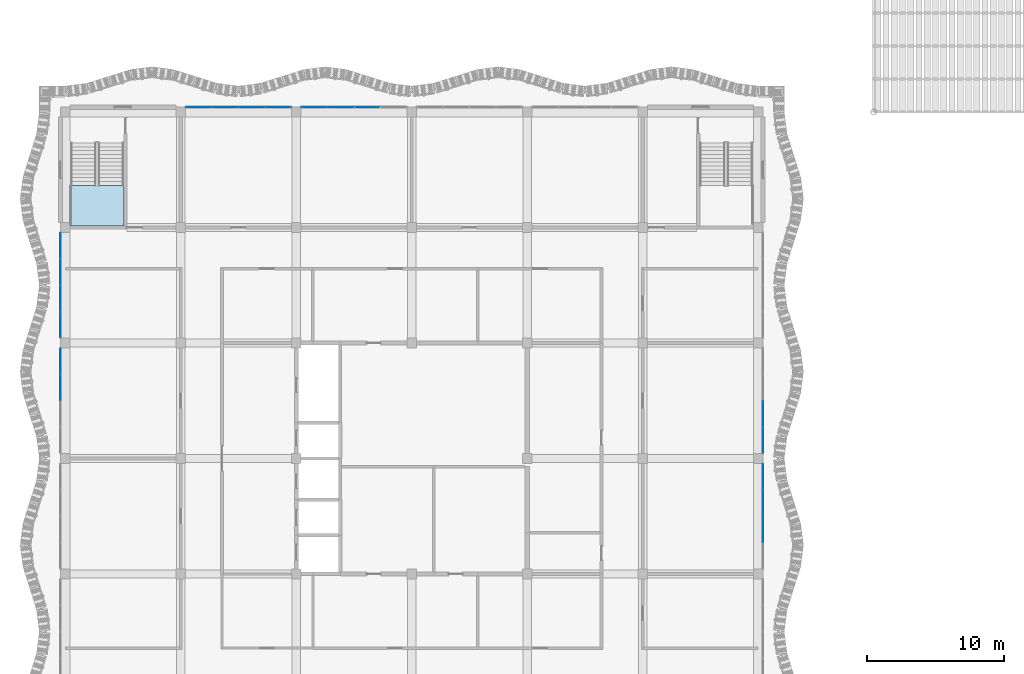
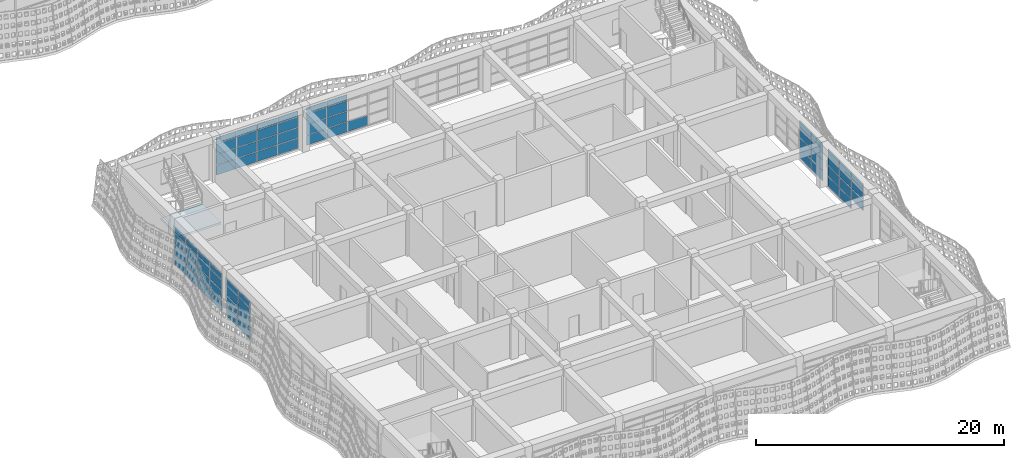
# One storey, part 63 of 162: 68 plates, 1 slab, 7 elements without a shape of their own.
"""IFC4 building model written with IfcOpenShell, lengths in metres."""

from ifc_helpers import new_model, si_unit, direction, frame, origin, origin_2d, place, context, subcontext, project, spatial, polyline, rectangle, outline, extrude, material, layer, layer_set, type_object, element, aggregate, save


model = new_model("IFC4")

# Units and contexts
model_context = context("Model", 3, precision=1e-05, world=origin(), true_north=direction((0.0, 1.0)))
body_context = subcontext(model_context, "Body", "Model", "MODEL_VIEW")
ifc_project = project(units=[si_unit("LENGTHUNIT", "METRE"), si_unit("AREAUNIT", "SQUARE_METRE"), si_unit("VOLUMEUNIT", "CUBIC_METRE"), si_unit("PLANEANGLEUNIT", "RADIAN"), si_unit("MASSUNIT", "GRAM", prefix="KILO")], contexts=[model_context])

# Site, building, storey
site_placement = place(None, origin())
site = spatial("IfcSite", under=ifc_project, at=site_placement, CompositionType="ELEMENT")
building_placement = place(site_placement, origin())
building = spatial("IfcBuilding", under=site, at=building_placement, Name="Rain Tree Exposition and Congress Centre", CompositionType="ELEMENT")
storey_placement = place(building_placement, frame((0.0, 0.0, 6.0)))
storey = spatial("IfcBuildingStorey", under=building, at=storey_placement, Name="L01", CompositionType="ELEMENT", Elevation=6.0)

# Curtain wall, plates
ifc_material_1 = material(Name="Aluminium curtain wall", Category="aluminium")
curtain_wall_type = type_object("IfcCurtainWallType", Name="Wing curtain wall 1925", PredefinedType="NOTDEFINED", material=ifc_material_1)
curtain_wall_1_placement = place(storey_placement, origin())
curtain_wall_1 = element("IfcCurtainWall", 1, at=curtain_wall_1_placement, inside=storey, type_object=curtain_wall_type, Name="Curtain wall CWW204", PredefinedType="NOTDEFINED")
ifc_material_2 = material(Name="Double glazed unit", Category="glass")
ifc_layer_1 = layer(ifc_material_2, 0.028076171875)
ifc_layer_set_1 = layer_set([ifc_layer_1], Name="Double glazed unit")
plate_type = type_object("IfcPlateType", Name="Wing glazing panel 28", PredefinedType="CURTAIN_PANEL", material=ifc_layer_set_1)
plate_1_placement = place(storey_placement, frame((9.7275390625, 50.75, 0.06005859375), z_axis=(0.0, 0.0, 1.0), x_axis=(1.0, 0.0, 0.0)))
plate_1 = element("IfcPlate", 2, at=plate_1_placement, type_object=plate_type, Name="CWW204 panel 1.1", PredefinedType="CURTAIN_PANEL", context=body_context, shape_type="SweptSolid", body=[
    extrude(rectangle(XDim=1.8349609375, YDim=0.028076171875, at=origin_2d()), origin(), (0.0, 0.0, 1.0), 0.9599609375),
])
plate_2_placement = place(storey_placement, frame((9.7275390625, 50.75, 1.080078125), z_axis=(0.0, 0.0, 1.0), x_axis=(1.0, 0.0, 0.0)))
plate_2 = element("IfcPlate", 3, at=plate_2_placement, type_object=plate_type, Name="CWW204 panel 1.2", PredefinedType="CURTAIN_PANEL", context=body_context, shape_type="SweptSolid", body=[
    extrude(rectangle(XDim=1.8349609375, YDim=0.028076171875, at=origin_2d()), origin(), (0.0, 0.0, 1.0), 0.989990234375),
])
plate_3_placement = place(storey_placement, frame((9.7275390625, 50.75, 2.1298828125), z_axis=(0.0, 0.0, 1.0), x_axis=(1.0, 0.0, 0.0)))
plate_3 = element("IfcPlate", 4, at=plate_3_placement, type_object=plate_type, Name="CWW204 panel 1.3", PredefinedType="CURTAIN_PANEL", context=body_context, shape_type="SweptSolid", body=[
    extrude(rectangle(XDim=1.8349609375, YDim=0.028076171875, at=origin_2d()), origin(), (0.0, 0.0, 1.0), 0.989990234375),
])
plate_4_placement = place(storey_placement, frame((9.7275390625, 50.75, 3.179931640625), z_axis=(0.0, 0.0, 1.0), x_axis=(1.0, 0.0, 0.0)))
plate_4 = element("IfcPlate", 5, at=plate_4_placement, type_object=plate_type, Name="CWW204 panel 1.4", PredefinedType="CURTAIN_PANEL", context=body_context, shape_type="SweptSolid", body=[
    extrude(rectangle(XDim=1.8349609375, YDim=0.028076171875, at=origin_2d()), origin(), (0.0, 0.0, 1.0), 0.56005859375),
])
plate_5_placement = place(storey_placement, frame((11.637451171875, 50.75, 0.06005859375), z_axis=(0.0, 0.0, 1.0), x_axis=(1.0, 0.0, 0.0)))
plate_5 = element("IfcPlate", 6, at=plate_5_placement, type_object=plate_type, Name="CWW204 panel 2.1", PredefinedType="CURTAIN_PANEL", context=body_context, shape_type="SweptSolid", body=[
    extrude(rectangle(XDim=1.864990234375, YDim=0.028076171875, at=origin_2d()), origin(), (0.0, 0.0, 1.0), 0.9599609375),
])
plate_6_placement = place(storey_placement, frame((11.637451171875, 50.75, 1.080078125), z_axis=(0.0, 0.0, 1.0), x_axis=(1.0, 0.0, 0.0)))
plate_6 = element("IfcPlate", 7, at=plate_6_placement, type_object=plate_type, Name="CWW204 panel 2.2", PredefinedType="CURTAIN_PANEL", context=body_context, shape_type="SweptSolid", body=[
    extrude(rectangle(XDim=1.864990234375, YDim=0.028076171875, at=origin_2d()), origin(), (0.0, 0.0, 1.0), 0.989990234375),
])
plate_7_placement = place(storey_placement, frame((11.637451171875, 50.75, 2.1298828125), z_axis=(0.0, 0.0, 1.0), x_axis=(1.0, 0.0, 0.0)))
plate_7 = element("IfcPlate", 8, at=plate_7_placement, type_object=plate_type, Name="CWW204 panel 2.3", PredefinedType="CURTAIN_PANEL", context=body_context, shape_type="SweptSolid", body=[
    extrude(rectangle(XDim=1.864990234375, YDim=0.028076171875, at=origin_2d()), origin(), (0.0, 0.0, 1.0), 0.989990234375),
])
plate_8_placement = place(storey_placement, frame((11.637451171875, 50.75, 3.179931640625), z_axis=(0.0, 0.0, 1.0), x_axis=(1.0, 0.0, 0.0)))
plate_8 = element("IfcPlate", 9, at=plate_8_placement, type_object=plate_type, Name="CWW204 panel 2.4", PredefinedType="CURTAIN_PANEL", context=body_context, shape_type="SweptSolid", body=[
    extrude(rectangle(XDim=1.864990234375, YDim=0.028076171875, at=origin_2d()), origin(), (0.0, 0.0, 1.0), 0.56005859375),
])
plate_9_placement = place(storey_placement, frame((13.5625, 50.75, 0.06005859375), z_axis=(0.0, 0.0, 1.0), x_axis=(1.0, 0.0, 0.0)))
plate_9 = element("IfcPlate", 10, at=plate_9_placement, type_object=plate_type, Name="CWW204 panel 3.1", PredefinedType="CURTAIN_PANEL", context=body_context, shape_type="SweptSolid", body=[
    extrude(rectangle(XDim=1.864990234375, YDim=0.028076171875, at=origin_2d()), origin(), (0.0, 0.0, 1.0), 0.9599609375),
])
plate_10_placement = place(storey_placement, frame((13.5625, 50.75, 1.080078125), z_axis=(0.0, 0.0, 1.0), x_axis=(1.0, 0.0, 0.0)))
plate_10 = element("IfcPlate", 11, at=plate_10_placement, type_object=plate_type, Name="CWW204 panel 3.2", PredefinedType="CURTAIN_PANEL", context=body_context, shape_type="SweptSolid", body=[
    extrude(rectangle(XDim=1.864990234375, YDim=0.028076171875, at=origin_2d()), origin(), (0.0, 0.0, 1.0), 0.989990234375),
])
plate_11_placement = place(storey_placement, frame((13.5625, 50.75, 2.1298828125), z_axis=(0.0, 0.0, 1.0), x_axis=(1.0, 0.0, 0.0)))
plate_11 = element("IfcPlate", 12, at=plate_11_placement, type_object=plate_type, Name="CWW204 panel 3.3", PredefinedType="CURTAIN_PANEL", context=body_context, shape_type="SweptSolid", body=[
    extrude(rectangle(XDim=1.864990234375, YDim=0.028076171875, at=origin_2d()), origin(), (0.0, 0.0, 1.0), 0.989990234375),
])
plate_12_placement = place(storey_placement, frame((13.5625, 50.75, 3.179931640625), z_axis=(0.0, 0.0, 1.0), x_axis=(1.0, 0.0, 0.0)))
plate_12 = element("IfcPlate", 13, at=plate_12_placement, type_object=plate_type, Name="CWW204 panel 3.4", PredefinedType="CURTAIN_PANEL", context=body_context, shape_type="SweptSolid", body=[
    extrude(rectangle(XDim=1.864990234375, YDim=0.028076171875, at=origin_2d()), origin(), (0.0, 0.0, 1.0), 0.56005859375),
])
plate_13_placement = place(storey_placement, frame((15.472412109375, 50.75, 0.06005859375), z_axis=(0.0, 0.0, 1.0), x_axis=(1.0, 0.0, 0.0)))
plate_13 = element("IfcPlate", 14, at=plate_13_placement, type_object=plate_type, Name="CWW204 panel 4.1", PredefinedType="CURTAIN_PANEL", context=body_context, shape_type="SweptSolid", body=[
    extrude(rectangle(XDim=1.8349609375, YDim=0.028076171875, at=origin_2d()), origin(), (0.0, 0.0, 1.0), 0.9599609375),
])
plate_14_placement = place(storey_placement, frame((15.472412109375, 50.75, 1.080078125), z_axis=(0.0, 0.0, 1.0), x_axis=(1.0, 0.0, 0.0)))
plate_14 = element("IfcPlate", 15, at=plate_14_placement, type_object=plate_type, Name="CWW204 panel 4.2", PredefinedType="CURTAIN_PANEL", context=body_context, shape_type="SweptSolid", body=[
    extrude(rectangle(XDim=1.8349609375, YDim=0.028076171875, at=origin_2d()), origin(), (0.0, 0.0, 1.0), 0.989990234375),
])
plate_15_placement = place(storey_placement, frame((15.472412109375, 50.75, 2.1298828125), z_axis=(0.0, 0.0, 1.0), x_axis=(1.0, 0.0, 0.0)))
plate_15 = element("IfcPlate", 16, at=plate_15_placement, type_object=plate_type, Name="CWW204 panel 4.3", PredefinedType="CURTAIN_PANEL", context=body_context, shape_type="SweptSolid", body=[
    extrude(rectangle(XDim=1.8349609375, YDim=0.028076171875, at=origin_2d()), origin(), (0.0, 0.0, 1.0), 0.989990234375),
])
plate_16_placement = place(storey_placement, frame((15.472412109375, 50.75, 3.179931640625), z_axis=(0.0, 0.0, 1.0), x_axis=(1.0, 0.0, 0.0)))
plate_16 = element("IfcPlate", 17, at=plate_16_placement, type_object=plate_type, Name="CWW204 panel 4.4", PredefinedType="CURTAIN_PANEL", context=body_context, shape_type="SweptSolid", body=[
    extrude(rectangle(XDim=1.8349609375, YDim=0.028076171875, at=origin_2d()), origin(), (0.0, 0.0, 1.0), 0.56005859375),
])
aggregate(curtain_wall_1, [plate_1, plate_2, plate_3, plate_4, plate_5, plate_6, plate_7, plate_8, plate_9, plate_10, plate_11, plate_12, plate_13, plate_14, plate_15, plate_16])

curtain_wall_2_placement = place(storey_placement, origin())
curtain_wall_2 = element("IfcCurtainWall", 18, at=curtain_wall_2_placement, inside=storey, type_object=curtain_wall_type, Name="Curtain wall CWW205", PredefinedType="NOTDEFINED")
plate_17_placement = place(storey_placement, frame((18.12744140625, 50.75, 0.06005859375), z_axis=(0.0, 0.0, 1.0), x_axis=(1.0, 0.0, 0.0)))
plate_17 = element("IfcPlate", 19, at=plate_17_placement, type_object=plate_type, Name="CWW205 panel 1.1", PredefinedType="CURTAIN_PANEL", context=body_context, shape_type="SweptSolid", body=[
    extrude(rectangle(XDim=1.8349609375, YDim=0.028076171875, at=origin_2d()), origin(), (0.0, 0.0, 1.0), 0.9599609375),
])
plate_18_placement = place(storey_placement, frame((18.12744140625, 50.75, 1.080078125), z_axis=(0.0, 0.0, 1.0), x_axis=(1.0, 0.0, 0.0)))
plate_18 = element("IfcPlate", 20, at=plate_18_placement, type_object=plate_type, Name="CWW205 panel 1.2", PredefinedType="CURTAIN_PANEL", context=body_context, shape_type="SweptSolid", body=[
    extrude(rectangle(XDim=1.8349609375, YDim=0.028076171875, at=origin_2d()), origin(), (0.0, 0.0, 1.0), 0.989990234375),
])
plate_19_placement = place(storey_placement, frame((18.12744140625, 50.75, 2.1298828125), z_axis=(0.0, 0.0, 1.0), x_axis=(1.0, 0.0, 0.0)))
plate_19 = element("IfcPlate", 21, at=plate_19_placement, type_object=plate_type, Name="CWW205 panel 1.3", PredefinedType="CURTAIN_PANEL", context=body_context, shape_type="SweptSolid", body=[
    extrude(rectangle(XDim=1.8349609375, YDim=0.028076171875, at=origin_2d()), origin(), (0.0, 0.0, 1.0), 0.989990234375),
])
plate_20_placement = place(storey_placement, frame((18.12744140625, 50.75, 3.179931640625), z_axis=(0.0, 0.0, 1.0), x_axis=(1.0, 0.0, 0.0)))
plate_20 = element("IfcPlate", 22, at=plate_20_placement, type_object=plate_type, Name="CWW205 panel 1.4", PredefinedType="CURTAIN_PANEL", context=body_context, shape_type="SweptSolid", body=[
    extrude(rectangle(XDim=1.8349609375, YDim=0.028076171875, at=origin_2d()), origin(), (0.0, 0.0, 1.0), 0.56005859375),
])
plate_21_placement = place(storey_placement, frame((20.03759765625, 50.75, 0.06005859375), z_axis=(0.0, 0.0, 1.0), x_axis=(1.0, 0.0, 0.0)))
plate_21 = element("IfcPlate", 23, at=plate_21_placement, type_object=plate_type, Name="CWW205 panel 2.1", PredefinedType="CURTAIN_PANEL", context=body_context, shape_type="SweptSolid", body=[
    extrude(rectangle(XDim=1.864990234375, YDim=0.028076171875, at=origin_2d()), origin(), (0.0, 0.0, 1.0), 0.9599609375),
])
plate_22_placement = place(storey_placement, frame((20.03759765625, 50.75, 1.080078125), z_axis=(0.0, 0.0, 1.0), x_axis=(1.0, 0.0, 0.0)))
plate_22 = element("IfcPlate", 24, at=plate_22_placement, type_object=plate_type, Name="CWW205 panel 2.2", PredefinedType="CURTAIN_PANEL", context=body_context, shape_type="SweptSolid", body=[
    extrude(rectangle(XDim=1.864990234375, YDim=0.028076171875, at=origin_2d()), origin(), (0.0, 0.0, 1.0), 0.989990234375),
])
plate_23_placement = place(storey_placement, frame((20.03759765625, 50.75, 2.1298828125), z_axis=(0.0, 0.0, 1.0), x_axis=(1.0, 0.0, 0.0)))
plate_23 = element("IfcPlate", 25, at=plate_23_placement, type_object=plate_type, Name="CWW205 panel 2.3", PredefinedType="CURTAIN_PANEL", context=body_context, shape_type="SweptSolid", body=[
    extrude(rectangle(XDim=1.864990234375, YDim=0.028076171875, at=origin_2d()), origin(), (0.0, 0.0, 1.0), 0.989990234375),
])
plate_24_placement = place(storey_placement, frame((20.03759765625, 50.75, 3.179931640625), z_axis=(0.0, 0.0, 1.0), x_axis=(1.0, 0.0, 0.0)))
plate_24 = element("IfcPlate", 26, at=plate_24_placement, type_object=plate_type, Name="CWW205 panel 2.4", PredefinedType="CURTAIN_PANEL", context=body_context, shape_type="SweptSolid", body=[
    extrude(rectangle(XDim=1.864990234375, YDim=0.028076171875, at=origin_2d()), origin(), (0.0, 0.0, 1.0), 0.56005859375),
])
plate_25_placement = place(storey_placement, frame((21.96240234375, 50.75, 0.06005859375), z_axis=(0.0, 0.0, 1.0), x_axis=(1.0, 0.0, 0.0)))
plate_25 = element("IfcPlate", 27, at=plate_25_placement, type_object=plate_type, Name="CWW205 panel 3.1", PredefinedType="CURTAIN_PANEL", context=body_context, shape_type="SweptSolid", body=[
    extrude(rectangle(XDim=1.864990234375, YDim=0.028076171875, at=origin_2d()), origin(), (0.0, 0.0, 1.0), 0.9599609375),
])
aggregate(curtain_wall_2, [plate_17, plate_18, plate_19, plate_20, plate_21, plate_22, plate_23, plate_24, plate_25])

curtain_wall_3_placement = place(storey_placement, origin())
curtain_wall_3 = element("IfcCurtainWall", 28, at=curtain_wall_3_placement, inside=storey, type_object=curtain_wall_type, Name="Curtain wall CWW210", PredefinedType="NOTDEFINED")
plate_26_placement = place(storey_placement, frame((-0.35009765625, 30.362548828125, 0.06005859375), z_axis=(0.0, 0.0, 1.0), x_axis=(0.0, 1.0, 0.0)))
plate_26 = element("IfcPlate", 29, at=plate_26_placement, type_object=plate_type, Name="CWW210 panel 3.1", PredefinedType="CURTAIN_PANEL", context=body_context, shape_type="SweptSolid", body=[
    extrude(rectangle(XDim=1.864990234375, YDim=0.028076171875, at=origin_2d()), origin(), (0.0, 0.0, 1.0), 0.9599609375),
])
plate_27_placement = place(storey_placement, frame((-0.35009765625, 30.362548828125, 1.080078125), z_axis=(0.0, 0.0, 1.0), x_axis=(0.0, 1.0, 0.0)))
plate_27 = element("IfcPlate", 30, at=plate_27_placement, type_object=plate_type, Name="CWW210 panel 3.2", PredefinedType="CURTAIN_PANEL", context=body_context, shape_type="SweptSolid", body=[
    extrude(rectangle(XDim=1.864990234375, YDim=0.028076171875, at=origin_2d()), origin(), (0.0, 0.0, 1.0), 0.989990234375),
])
plate_28_placement = place(storey_placement, frame((-0.35009765625, 30.362548828125, 2.1298828125), z_axis=(0.0, 0.0, 1.0), x_axis=(0.0, 1.0, 0.0)))
plate_28 = element("IfcPlate", 31, at=plate_28_placement, type_object=plate_type, Name="CWW210 panel 3.3", PredefinedType="CURTAIN_PANEL", context=body_context, shape_type="SweptSolid", body=[
    extrude(rectangle(XDim=1.864990234375, YDim=0.028076171875, at=origin_2d()), origin(), (0.0, 0.0, 1.0), 0.989990234375),
])
plate_29_placement = place(storey_placement, frame((-0.35009765625, 30.362548828125, 3.179931640625), z_axis=(0.0, 0.0, 1.0), x_axis=(0.0, 1.0, 0.0)))
plate_29 = element("IfcPlate", 32, at=plate_29_placement, type_object=plate_type, Name="CWW210 panel 3.4", PredefinedType="CURTAIN_PANEL", context=body_context, shape_type="SweptSolid", body=[
    extrude(rectangle(XDim=1.864990234375, YDim=0.028076171875, at=origin_2d()), origin(), (0.0, 0.0, 1.0), 0.56005859375),
])
plate_30_placement = place(storey_placement, frame((-0.35009765625, 32.2724609375, 0.06005859375), z_axis=(0.0, 0.0, 1.0), x_axis=(0.0, 1.0, 0.0)))
plate_30 = element("IfcPlate", 33, at=plate_30_placement, type_object=plate_type, Name="CWW210 panel 4.1", PredefinedType="CURTAIN_PANEL", context=body_context, shape_type="SweptSolid", body=[
    extrude(rectangle(XDim=1.8349609375, YDim=0.028076171875, at=origin_2d()), origin(), (0.0, 0.0, 1.0), 0.9599609375),
])
plate_31_placement = place(storey_placement, frame((-0.35009765625, 32.2724609375, 1.080078125), z_axis=(0.0, 0.0, 1.0), x_axis=(0.0, 1.0, 0.0)))
plate_31 = element("IfcPlate", 34, at=plate_31_placement, type_object=plate_type, Name="CWW210 panel 4.2", PredefinedType="CURTAIN_PANEL", context=body_context, shape_type="SweptSolid", body=[
    extrude(rectangle(XDim=1.8349609375, YDim=0.028076171875, at=origin_2d()), origin(), (0.0, 0.0, 1.0), 0.989990234375),
])
plate_32_placement = place(storey_placement, frame((-0.35009765625, 32.2724609375, 2.1298828125), z_axis=(0.0, 0.0, 1.0), x_axis=(0.0, 1.0, 0.0)))
plate_32 = element("IfcPlate", 35, at=plate_32_placement, type_object=plate_type, Name="CWW210 panel 4.3", PredefinedType="CURTAIN_PANEL", context=body_context, shape_type="SweptSolid", body=[
    extrude(rectangle(XDim=1.8349609375, YDim=0.028076171875, at=origin_2d()), origin(), (0.0, 0.0, 1.0), 0.989990234375),
])
plate_33_placement = place(storey_placement, frame((-0.35009765625, 32.2724609375, 3.179931640625), z_axis=(0.0, 0.0, 1.0), x_axis=(0.0, 1.0, 0.0)))
plate_33 = element("IfcPlate", 36, at=plate_33_placement, type_object=plate_type, Name="CWW210 panel 4.4", PredefinedType="CURTAIN_PANEL", context=body_context, shape_type="SweptSolid", body=[
    extrude(rectangle(XDim=1.8349609375, YDim=0.028076171875, at=origin_2d()), origin(), (0.0, 0.0, 1.0), 0.56005859375),
])
aggregate(curtain_wall_3, [plate_26, plate_27, plate_28, plate_29, plate_30, plate_31, plate_32, plate_33])

curtain_wall_4_placement = place(storey_placement, origin())
curtain_wall_4 = element("IfcCurtainWall", 37, at=curtain_wall_4_placement, inside=storey, type_object=curtain_wall_type, Name="Curtain wall CWW211", PredefinedType="NOTDEFINED")
plate_34_placement = place(storey_placement, frame((-0.35009765625, 34.927490234375, 0.06005859375), z_axis=(0.0, 0.0, 1.0), x_axis=(0.0, 1.0, 0.0)))
plate_34 = element("IfcPlate", 38, at=plate_34_placement, type_object=plate_type, Name="CWW211 panel 1.1", PredefinedType="CURTAIN_PANEL", context=body_context, shape_type="SweptSolid", body=[
    extrude(rectangle(XDim=1.8349609375, YDim=0.028076171875, at=origin_2d()), origin(), (0.0, 0.0, 1.0), 0.9599609375),
])
plate_35_placement = place(storey_placement, frame((-0.35009765625, 34.927490234375, 1.080078125), z_axis=(0.0, 0.0, 1.0), x_axis=(0.0, 1.0, 0.0)))
plate_35 = element("IfcPlate", 39, at=plate_35_placement, type_object=plate_type, Name="CWW211 panel 1.2", PredefinedType="CURTAIN_PANEL", context=body_context, shape_type="SweptSolid", body=[
    extrude(rectangle(XDim=1.8349609375, YDim=0.028076171875, at=origin_2d()), origin(), (0.0, 0.0, 1.0), 0.989990234375),
])
plate_36_placement = place(storey_placement, frame((-0.35009765625, 34.927490234375, 2.1298828125), z_axis=(0.0, 0.0, 1.0), x_axis=(0.0, 1.0, 0.0)))
plate_36 = element("IfcPlate", 40, at=plate_36_placement, type_object=plate_type, Name="CWW211 panel 1.3", PredefinedType="CURTAIN_PANEL", context=body_context, shape_type="SweptSolid", body=[
    extrude(rectangle(XDim=1.8349609375, YDim=0.028076171875, at=origin_2d()), origin(), (0.0, 0.0, 1.0), 0.989990234375),
])
plate_37_placement = place(storey_placement, frame((-0.35009765625, 34.927490234375, 3.179931640625), z_axis=(0.0, 0.0, 1.0), x_axis=(0.0, 1.0, 0.0)))
plate_37 = element("IfcPlate", 41, at=plate_37_placement, type_object=plate_type, Name="CWW211 panel 1.4", PredefinedType="CURTAIN_PANEL", context=body_context, shape_type="SweptSolid", body=[
    extrude(rectangle(XDim=1.8349609375, YDim=0.028076171875, at=origin_2d()), origin(), (0.0, 0.0, 1.0), 0.56005859375),
])
plate_38_placement = place(storey_placement, frame((-0.35009765625, 36.83740234375, 0.06005859375), z_axis=(0.0, 0.0, 1.0), x_axis=(0.0, 1.0, 0.0)))
plate_38 = element("IfcPlate", 42, at=plate_38_placement, type_object=plate_type, Name="CWW211 panel 2.1", PredefinedType="CURTAIN_PANEL", context=body_context, shape_type="SweptSolid", body=[
    extrude(rectangle(XDim=1.864990234375, YDim=0.028076171875, at=origin_2d()), origin(), (0.0, 0.0, 1.0), 0.9599609375),
])
plate_39_placement = place(storey_placement, frame((-0.35009765625, 36.83740234375, 1.080078125), z_axis=(0.0, 0.0, 1.0), x_axis=(0.0, 1.0, 0.0)))
plate_39 = element("IfcPlate", 43, at=plate_39_placement, type_object=plate_type, Name="CWW211 panel 2.2", PredefinedType="CURTAIN_PANEL", context=body_context, shape_type="SweptSolid", body=[
    extrude(rectangle(XDim=1.864990234375, YDim=0.028076171875, at=origin_2d()), origin(), (0.0, 0.0, 1.0), 0.989990234375),
])
plate_40_placement = place(storey_placement, frame((-0.35009765625, 36.83740234375, 2.1298828125), z_axis=(0.0, 0.0, 1.0), x_axis=(0.0, 1.0, 0.0)))
plate_40 = element("IfcPlate", 44, at=plate_40_placement, type_object=plate_type, Name="CWW211 panel 2.3", PredefinedType="CURTAIN_PANEL", context=body_context, shape_type="SweptSolid", body=[
    extrude(rectangle(XDim=1.864990234375, YDim=0.028076171875, at=origin_2d()), origin(), (0.0, 0.0, 1.0), 0.989990234375),
])
plate_41_placement = place(storey_placement, frame((-0.35009765625, 36.83740234375, 3.179931640625), z_axis=(0.0, 0.0, 1.0), x_axis=(0.0, 1.0, 0.0)))
plate_41 = element("IfcPlate", 45, at=plate_41_placement, type_object=plate_type, Name="CWW211 panel 2.4", PredefinedType="CURTAIN_PANEL", context=body_context, shape_type="SweptSolid", body=[
    extrude(rectangle(XDim=1.864990234375, YDim=0.028076171875, at=origin_2d()), origin(), (0.0, 0.0, 1.0), 0.56005859375),
])
plate_42_placement = place(storey_placement, frame((-0.35009765625, 38.762451171875, 0.06005859375), z_axis=(0.0, 0.0, 1.0), x_axis=(0.0, 1.0, 0.0)))
plate_42 = element("IfcPlate", 46, at=plate_42_placement, type_object=plate_type, Name="CWW211 panel 3.1", PredefinedType="CURTAIN_PANEL", context=body_context, shape_type="SweptSolid", body=[
    extrude(rectangle(XDim=1.864990234375, YDim=0.028076171875, at=origin_2d()), origin(), (0.0, 0.0, 1.0), 0.9599609375),
])
plate_43_placement = place(storey_placement, frame((-0.35009765625, 38.762451171875, 1.080078125), z_axis=(0.0, 0.0, 1.0), x_axis=(0.0, 1.0, 0.0)))
plate_43 = element("IfcPlate", 47, at=plate_43_placement, type_object=plate_type, Name="CWW211 panel 3.2", PredefinedType="CURTAIN_PANEL", context=body_context, shape_type="SweptSolid", body=[
    extrude(rectangle(XDim=1.864990234375, YDim=0.028076171875, at=origin_2d()), origin(), (0.0, 0.0, 1.0), 0.989990234375),
])
plate_44_placement = place(storey_placement, frame((-0.35009765625, 38.762451171875, 2.1298828125), z_axis=(0.0, 0.0, 1.0), x_axis=(0.0, 1.0, 0.0)))
plate_44 = element("IfcPlate", 48, at=plate_44_placement, type_object=plate_type, Name="CWW211 panel 3.3", PredefinedType="CURTAIN_PANEL", context=body_context, shape_type="SweptSolid", body=[
    extrude(rectangle(XDim=1.864990234375, YDim=0.028076171875, at=origin_2d()), origin(), (0.0, 0.0, 1.0), 0.989990234375),
])
plate_45_placement = place(storey_placement, frame((-0.35009765625, 38.762451171875, 3.179931640625), z_axis=(0.0, 0.0, 1.0), x_axis=(0.0, 1.0, 0.0)))
plate_45 = element("IfcPlate", 49, at=plate_45_placement, type_object=plate_type, Name="CWW211 panel 3.4", PredefinedType="CURTAIN_PANEL", context=body_context, shape_type="SweptSolid", body=[
    extrude(rectangle(XDim=1.864990234375, YDim=0.028076171875, at=origin_2d()), origin(), (0.0, 0.0, 1.0), 0.56005859375),
])
plate_46_placement = place(storey_placement, frame((-0.35009765625, 40.672607421875, 0.06005859375), z_axis=(0.0, 0.0, 1.0), x_axis=(0.0, 1.0, 0.0)))
plate_46 = element("IfcPlate", 50, at=plate_46_placement, type_object=plate_type, Name="CWW211 panel 4.1", PredefinedType="CURTAIN_PANEL", context=body_context, shape_type="SweptSolid", body=[
    extrude(rectangle(XDim=1.8349609375, YDim=0.028076171875, at=origin_2d()), origin(), (0.0, 0.0, 1.0), 0.9599609375),
])
plate_47_placement = place(storey_placement, frame((-0.35009765625, 40.672607421875, 1.080078125), z_axis=(0.0, 0.0, 1.0), x_axis=(0.0, 1.0, 0.0)))
plate_47 = element("IfcPlate", 51, at=plate_47_placement, type_object=plate_type, Name="CWW211 panel 4.2", PredefinedType="CURTAIN_PANEL", context=body_context, shape_type="SweptSolid", body=[
    extrude(rectangle(XDim=1.8349609375, YDim=0.028076171875, at=origin_2d()), origin(), (0.0, 0.0, 1.0), 0.989990234375),
])
plate_48_placement = place(storey_placement, frame((-0.35009765625, 40.672607421875, 2.1298828125), z_axis=(0.0, 0.0, 1.0), x_axis=(0.0, 1.0, 0.0)))
plate_48 = element("IfcPlate", 52, at=plate_48_placement, type_object=plate_type, Name="CWW211 panel 4.3", PredefinedType="CURTAIN_PANEL", context=body_context, shape_type="SweptSolid", body=[
    extrude(rectangle(XDim=1.8349609375, YDim=0.028076171875, at=origin_2d()), origin(), (0.0, 0.0, 1.0), 0.989990234375),
])
plate_49_placement = place(storey_placement, frame((-0.35009765625, 40.672607421875, 3.179931640625), z_axis=(0.0, 0.0, 1.0), x_axis=(0.0, 1.0, 0.0)))
plate_49 = element("IfcPlate", 53, at=plate_49_placement, type_object=plate_type, Name="CWW211 panel 4.4", PredefinedType="CURTAIN_PANEL", context=body_context, shape_type="SweptSolid", body=[
    extrude(rectangle(XDim=1.8349609375, YDim=0.028076171875, at=origin_2d()), origin(), (0.0, 0.0, 1.0), 0.56005859375),
])
aggregate(curtain_wall_4, [plate_34, plate_35, plate_36, plate_37, plate_38, plate_39, plate_40, plate_41, plate_42, plate_43, plate_44, plate_45, plate_46, plate_47, plate_48, plate_49])

curtain_wall_5_placement = place(storey_placement, origin())
curtain_wall_5 = element("IfcCurtainWall", 54, at=curtain_wall_5_placement, inside=storey, type_object=curtain_wall_type, Name="Curtain wall CWW213", PredefinedType="NOTDEFINED")
plate_50_placement = place(storey_placement, frame((50.75, 20.03759765625, 1.080078125), z_axis=(0.0, 0.0, 1.0), x_axis=(0.0, 1.0, 0.0)))
plate_50 = element("IfcPlate", 55, at=plate_50_placement, type_object=plate_type, Name="CWW213 panel 2.2", PredefinedType="CURTAIN_PANEL", context=body_context, shape_type="SweptSolid", body=[
    extrude(rectangle(XDim=1.864990234375, YDim=0.028076171875, at=origin_2d()), origin(), (0.0, 0.0, 1.0), 0.989990234375),
])
plate_51_placement = place(storey_placement, frame((50.75, 20.03759765625, 2.1298828125), z_axis=(0.0, 0.0, 1.0), x_axis=(0.0, 1.0, 0.0)))
plate_51 = element("IfcPlate", 56, at=plate_51_placement, type_object=plate_type, Name="CWW213 panel 2.3", PredefinedType="CURTAIN_PANEL", context=body_context, shape_type="SweptSolid", body=[
    extrude(rectangle(XDim=1.864990234375, YDim=0.028076171875, at=origin_2d()), origin(), (0.0, 0.0, 1.0), 0.989990234375),
])
plate_52_placement = place(storey_placement, frame((50.75, 20.03759765625, 3.179931640625), z_axis=(0.0, 0.0, 1.0), x_axis=(0.0, 1.0, 0.0)))
plate_52 = element("IfcPlate", 57, at=plate_52_placement, type_object=plate_type, Name="CWW213 panel 2.4", PredefinedType="CURTAIN_PANEL", context=body_context, shape_type="SweptSolid", body=[
    extrude(rectangle(XDim=1.864990234375, YDim=0.028076171875, at=origin_2d()), origin(), (0.0, 0.0, 1.0), 0.56005859375),
])
plate_53_placement = place(storey_placement, frame((50.75, 21.96240234375, 0.06005859375), z_axis=(0.0, 0.0, 1.0), x_axis=(0.0, 1.0, 0.0)))
plate_53 = element("IfcPlate", 58, at=plate_53_placement, type_object=plate_type, Name="CWW213 panel 3.1", PredefinedType="CURTAIN_PANEL", context=body_context, shape_type="SweptSolid", body=[
    extrude(rectangle(XDim=1.864990234375, YDim=0.028076171875, at=origin_2d()), origin(), (0.0, 0.0, 1.0), 0.9599609375),
])
plate_54_placement = place(storey_placement, frame((50.75, 21.96240234375, 1.080078125), z_axis=(0.0, 0.0, 1.0), x_axis=(0.0, 1.0, 0.0)))
plate_54 = element("IfcPlate", 59, at=plate_54_placement, type_object=plate_type, Name="CWW213 panel 3.2", PredefinedType="CURTAIN_PANEL", context=body_context, shape_type="SweptSolid", body=[
    extrude(rectangle(XDim=1.864990234375, YDim=0.028076171875, at=origin_2d()), origin(), (0.0, 0.0, 1.0), 0.989990234375),
])
plate_55_placement = place(storey_placement, frame((50.75, 21.96240234375, 2.1298828125), z_axis=(0.0, 0.0, 1.0), x_axis=(0.0, 1.0, 0.0)))
plate_55 = element("IfcPlate", 60, at=plate_55_placement, type_object=plate_type, Name="CWW213 panel 3.3", PredefinedType="CURTAIN_PANEL", context=body_context, shape_type="SweptSolid", body=[
    extrude(rectangle(XDim=1.864990234375, YDim=0.028076171875, at=origin_2d()), origin(), (0.0, 0.0, 1.0), 0.989990234375),
])
plate_56_placement = place(storey_placement, frame((50.75, 21.96240234375, 3.179931640625), z_axis=(0.0, 0.0, 1.0), x_axis=(0.0, 1.0, 0.0)))
plate_56 = element("IfcPlate", 61, at=plate_56_placement, type_object=plate_type, Name="CWW213 panel 3.4", PredefinedType="CURTAIN_PANEL", context=body_context, shape_type="SweptSolid", body=[
    extrude(rectangle(XDim=1.864990234375, YDim=0.028076171875, at=origin_2d()), origin(), (0.0, 0.0, 1.0), 0.56005859375),
])
plate_57_placement = place(storey_placement, frame((50.75, 23.87255859375, 0.06005859375), z_axis=(0.0, 0.0, 1.0), x_axis=(0.0, 1.0, 0.0)))
plate_57 = element("IfcPlate", 62, at=plate_57_placement, type_object=plate_type, Name="CWW213 panel 4.1", PredefinedType="CURTAIN_PANEL", context=body_context, shape_type="SweptSolid", body=[
    extrude(rectangle(XDim=1.8349609375, YDim=0.028076171875, at=origin_2d()), origin(), (0.0, 0.0, 1.0), 0.9599609375),
])
plate_58_placement = place(storey_placement, frame((50.75, 23.87255859375, 1.080078125), z_axis=(0.0, 0.0, 1.0), x_axis=(0.0, 1.0, 0.0)))
plate_58 = element("IfcPlate", 63, at=plate_58_placement, type_object=plate_type, Name="CWW213 panel 4.2", PredefinedType="CURTAIN_PANEL", context=body_context, shape_type="SweptSolid", body=[
    extrude(rectangle(XDim=1.8349609375, YDim=0.028076171875, at=origin_2d()), origin(), (0.0, 0.0, 1.0), 0.989990234375),
])
plate_59_placement = place(storey_placement, frame((50.75, 23.87255859375, 2.1298828125), z_axis=(0.0, 0.0, 1.0), x_axis=(0.0, 1.0, 0.0)))
plate_59 = element("IfcPlate", 64, at=plate_59_placement, type_object=plate_type, Name="CWW213 panel 4.3", PredefinedType="CURTAIN_PANEL", context=body_context, shape_type="SweptSolid", body=[
    extrude(rectangle(XDim=1.8349609375, YDim=0.028076171875, at=origin_2d()), origin(), (0.0, 0.0, 1.0), 0.989990234375),
])
plate_60_placement = place(storey_placement, frame((50.75, 23.87255859375, 3.179931640625), z_axis=(0.0, 0.0, 1.0), x_axis=(0.0, 1.0, 0.0)))
plate_60 = element("IfcPlate", 65, at=plate_60_placement, type_object=plate_type, Name="CWW213 panel 4.4", PredefinedType="CURTAIN_PANEL", context=body_context, shape_type="SweptSolid", body=[
    extrude(rectangle(XDim=1.8349609375, YDim=0.028076171875, at=origin_2d()), origin(), (0.0, 0.0, 1.0), 0.56005859375),
])
aggregate(curtain_wall_5, [plate_50, plate_51, plate_52, plate_53, plate_54, plate_55, plate_56, plate_57, plate_58, plate_59, plate_60])

curtain_wall_6_placement = place(storey_placement, origin())
curtain_wall_6 = element("IfcCurtainWall", 66, at=curtain_wall_6_placement, inside=storey, type_object=curtain_wall_type, Name="Curtain wall CWW214", PredefinedType="NOTDEFINED")
plate_61_placement = place(storey_placement, frame((50.75, 26.527587890625, 0.06005859375), z_axis=(0.0, 0.0, 1.0), x_axis=(0.0, 1.0, 0.0)))
plate_61 = element("IfcPlate", 67, at=plate_61_placement, type_object=plate_type, Name="CWW214 panel 1.1", PredefinedType="CURTAIN_PANEL", context=body_context, shape_type="SweptSolid", body=[
    extrude(rectangle(XDim=1.8349609375, YDim=0.028076171875, at=origin_2d()), origin(), (0.0, 0.0, 1.0), 0.9599609375),
])
plate_62_placement = place(storey_placement, frame((50.75, 26.527587890625, 1.080078125), z_axis=(0.0, 0.0, 1.0), x_axis=(0.0, 1.0, 0.0)))
plate_62 = element("IfcPlate", 68, at=plate_62_placement, type_object=plate_type, Name="CWW214 panel 1.2", PredefinedType="CURTAIN_PANEL", context=body_context, shape_type="SweptSolid", body=[
    extrude(rectangle(XDim=1.8349609375, YDim=0.028076171875, at=origin_2d()), origin(), (0.0, 0.0, 1.0), 0.989990234375),
])
plate_63_placement = place(storey_placement, frame((50.75, 26.527587890625, 2.1298828125), z_axis=(0.0, 0.0, 1.0), x_axis=(0.0, 1.0, 0.0)))
plate_63 = element("IfcPlate", 69, at=plate_63_placement, type_object=plate_type, Name="CWW214 panel 1.3", PredefinedType="CURTAIN_PANEL", context=body_context, shape_type="SweptSolid", body=[
    extrude(rectangle(XDim=1.8349609375, YDim=0.028076171875, at=origin_2d()), origin(), (0.0, 0.0, 1.0), 0.989990234375),
])
plate_64_placement = place(storey_placement, frame((50.75, 26.527587890625, 3.179931640625), z_axis=(0.0, 0.0, 1.0), x_axis=(0.0, 1.0, 0.0)))
plate_64 = element("IfcPlate", 70, at=plate_64_placement, type_object=plate_type, Name="CWW214 panel 1.4", PredefinedType="CURTAIN_PANEL", context=body_context, shape_type="SweptSolid", body=[
    extrude(rectangle(XDim=1.8349609375, YDim=0.028076171875, at=origin_2d()), origin(), (0.0, 0.0, 1.0), 0.56005859375),
])
plate_65_placement = place(storey_placement, frame((50.75, 28.4375, 0.06005859375), z_axis=(0.0, 0.0, 1.0), x_axis=(0.0, 1.0, 0.0)))
plate_65 = element("IfcPlate", 71, at=plate_65_placement, type_object=plate_type, Name="CWW214 panel 2.1", PredefinedType="CURTAIN_PANEL", context=body_context, shape_type="SweptSolid", body=[
    extrude(rectangle(XDim=1.864990234375, YDim=0.028076171875, at=origin_2d()), origin(), (0.0, 0.0, 1.0), 0.9599609375),
])
plate_66_placement = place(storey_placement, frame((50.75, 28.4375, 1.080078125), z_axis=(0.0, 0.0, 1.0), x_axis=(0.0, 1.0, 0.0)))
plate_66 = element("IfcPlate", 72, at=plate_66_placement, type_object=plate_type, Name="CWW214 panel 2.2", PredefinedType="CURTAIN_PANEL", context=body_context, shape_type="SweptSolid", body=[
    extrude(rectangle(XDim=1.864990234375, YDim=0.028076171875, at=origin_2d()), origin(), (0.0, 0.0, 1.0), 0.989990234375),
])
plate_67_placement = place(storey_placement, frame((50.75, 28.4375, 2.1298828125), z_axis=(0.0, 0.0, 1.0), x_axis=(0.0, 1.0, 0.0)))
plate_67 = element("IfcPlate", 73, at=plate_67_placement, type_object=plate_type, Name="CWW214 panel 2.3", PredefinedType="CURTAIN_PANEL", context=body_context, shape_type="SweptSolid", body=[
    extrude(rectangle(XDim=1.864990234375, YDim=0.028076171875, at=origin_2d()), origin(), (0.0, 0.0, 1.0), 0.989990234375),
])
plate_68_placement = place(storey_placement, frame((50.75, 28.4375, 3.179931640625), z_axis=(0.0, 0.0, 1.0), x_axis=(0.0, 1.0, 0.0)))
plate_68 = element("IfcPlate", 74, at=plate_68_placement, type_object=plate_type, Name="CWW214 panel 2.4", PredefinedType="CURTAIN_PANEL", context=body_context, shape_type="SweptSolid", body=[
    extrude(rectangle(XDim=1.864990234375, YDim=0.028076171875, at=origin_2d()), origin(), (0.0, 0.0, 1.0), 0.56005859375),
])
aggregate(curtain_wall_6, [plate_61, plate_62, plate_63, plate_64, plate_65, plate_66, plate_67, plate_68])

# Stair, slab
ifc_material_3 = material(Name="Precast concrete C50/60", Category="concrete")
stair_type = type_object("IfcStairType", Name="Wing dog-leg stair 1850", PredefinedType="HALF_TURN_STAIR", material=ifc_material_3)
stair_placement = place(storey_placement, origin())
stair = element("IfcStair", 75, at=stair_placement, inside=storey, type_object=stair_type, Name="L01 ST-W3", PredefinedType="HALF_TURN_STAIR")
ifc_material_4 = material(Name="Precast concrete C50/60", Category="concrete")
ifc_layer_2 = layer(ifc_material_4, 0.199951171875)
ifc_layer_set_2 = layer_set([ifc_layer_2], Name="Precast concrete C50/60")
slab_type = type_object("IfcSlabType", Name="Wing stair landing 200", PredefinedType="LANDING", material=ifc_layer_set_2)
slab_placement = place(storey_placement, frame((0.0, 0.0, 2.050048828125)))
slab = element("IfcSlab", 76, at=slab_placement, type_object=slab_type, Name="ST-W3 landing 1", PredefinedType="LANDING", context=body_context, shape_type="SweptSolid", body=[
    extrude(outline(polyline([(4.27490234375, 45.070068359375), (4.27490234375, 42.1220703125), (0.346923828125, 42.1220703125), (0.346923828125, 45.070068359375), (4.27490234375, 45.070068359375)])), origin(), (0.0, 0.0, 1.0), 0.199951171875),
])
aggregate(stair, [slab])

save(model, "model.ifc")
